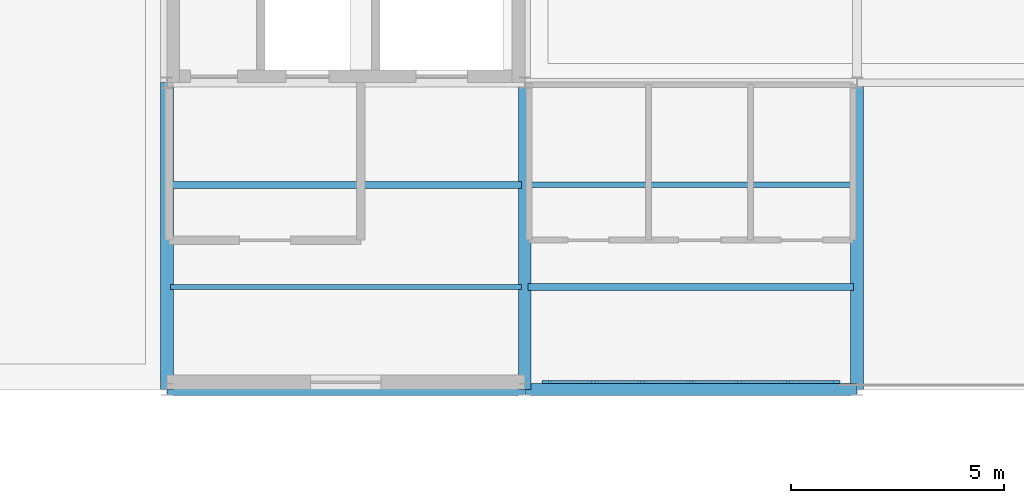
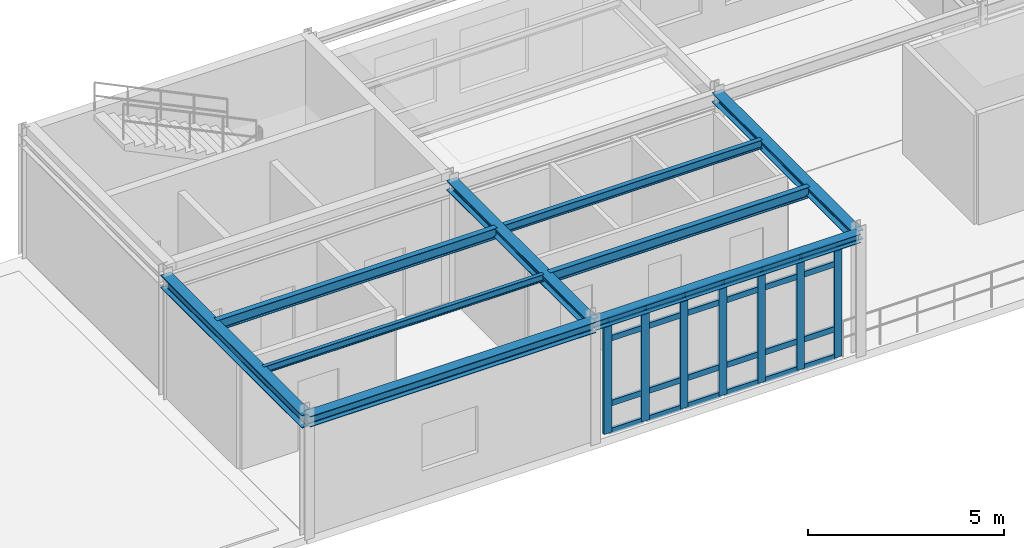
# One storey, part 5 of 20: 31 members, 9 beams, 1 element without a shape of its own.
"""IFC4 building model written with IfcOpenShell, lengths in metres."""

from ifc_helpers import new_model, si_unit, derived_unit, direction, frame, origin, origin_2d, place, context, subcontext, project, spatial, rectangle, i_section, extrude, material, layer, layer_set, material_profile, profile_set, type_object, element, aggregate, save


model = new_model("IFC4")

# Units and contexts
model_context = context("Model", 3, precision=1e-05, world=origin(), true_north=direction((0.0, 1.0)))
body_context = subcontext(model_context, "Body", "Model", "MODEL_VIEW")
ifc_project = project(units=[si_unit("LENGTHUNIT", "METRE"), si_unit("AREAUNIT", "SQUARE_METRE"), si_unit("VOLUMEUNIT", "CUBIC_METRE"), si_unit("PLANEANGLEUNIT", "RADIAN"), si_unit("MASSUNIT", "GRAM", prefix="KILO"), derived_unit("THERMALTRANSMITTANCEUNIT", [(si_unit("POWERUNIT", "WATT"), 1), (si_unit("AREAUNIT", "SQUARE_METRE"), -1), (si_unit("THERMODYNAMICTEMPERATUREUNIT", "KELVIN"), -1)])], contexts=[model_context])

# Site, building, storey
site_placement = place(None, origin())
site = spatial("IfcSite", under=ifc_project, at=site_placement, CompositionType="ELEMENT")
building_placement = place(site_placement, origin())
building = spatial("IfcBuilding", under=site, at=building_placement, Name="Yasenodar Specialist Clinic", CompositionType="ELEMENT")
storey_placement = place(building_placement, frame((0.0, 0.0, 25.35009765625)))
storey = spatial("IfcBuildingStorey", under=building, at=storey_placement, Name="L06", CompositionType="ELEMENT", Elevation=25.35009765625)

# Beams
ifc_material_1 = material(Name="Steel S355", Category="steel")
ifc_material_profile_1 = material_profile(ifc_material_1, i_section(OverallWidth=0.280029296875, OverallDepth=0.27001953125, WebThickness=0.008056640625, FlangeThickness=0.012939453125, FilletRadius=0.02392578125, at=origin_2d()), Name="HEA 280")
ifc_profile_set_1 = profile_set([ifc_material_profile_1], Name="Steel S355")
beam_type_1 = type_object("IfcBeamType", Name="BM-HEA280", PredefinedType="BEAM", material=ifc_profile_set_1)
beam_1_placement = place(storey_placement, frame((65.39990234375, 97.199951171875, 3.6748046875), z_axis=(1.0, 0.0, 0.0), x_axis=(0.0, 1.0, 0.0)))
element("IfcBeam", 1, at=beam_1_placement, inside=storey, type_object=beam_type_1, Name="L06 Primary E-W Girder", PredefinedType="BEAM", context=body_context, shape_type="SweptSolid", body=[
    extrude(i_section(OverallWidth=0.280029296875, OverallDepth=0.27001953125, WebThickness=0.008056640625, FlangeThickness=0.012939453125, FilletRadius=0.02392578125, at=origin_2d()), origin(), (0.0, 0.0, 1.0), 7.800048828125),
])
ifc_material_profile_2 = material_profile(ifc_material_1, i_section(OverallWidth=0.300048828125, OverallDepth=0.2900390625, WebThickness=0.008544921875, FlangeThickness=0.013916015625, FilletRadius=0.027099609375, at=origin_2d()), Name="HEA 300")
ifc_profile_set_2 = profile_set([ifc_material_profile_2], Name="Steel S355")
beam_type_2 = type_object("IfcBeamType", Name="BM-HEA300", PredefinedType="BEAM", material=ifc_profile_set_2)
beam_2_placement = place(storey_placement, frame((73.199951171875, 97.199951171875, 3.664794921875), z_axis=(0.0, 1.0, 0.0), x_axis=(-1.0, 0.0, 0.0)))
element("IfcBeam", 2, at=beam_2_placement, inside=storey, type_object=beam_type_2, Name="L06 Primary N-S Girder", PredefinedType="BEAM", context=body_context, shape_type="SweptSolid", body=[
    extrude(i_section(OverallWidth=0.300048828125, OverallDepth=0.2900390625, WebThickness=0.008544921875, FlangeThickness=0.013916015625, FilletRadius=0.027099609375, at=origin_2d()), origin(), (0.0, 0.0, 1.0), 7.199951171875),
])
ifc_material_profile_3 = material_profile(ifc_material_1, i_section(OverallWidth=0.300048828125, OverallDepth=0.330078125, WebThickness=0.009521484375, FlangeThickness=0.0166015625, FilletRadius=0.027099609375, at=origin_2d()), Name="HEA 340")
ifc_profile_set_3 = profile_set([ifc_material_profile_3], Name="Steel S355")
beam_type_3 = type_object("IfcBeamType", Name="BM-HEA340", PredefinedType="BEAM", material=ifc_profile_set_3)
beam_3_placement = place(storey_placement, frame((57.0, 97.199951171875, 3.64501953125), z_axis=(1.0, 0.0, 0.0), x_axis=(0.0, 1.0, 0.0)))
element("IfcBeam", 3, at=beam_3_placement, inside=storey, type_object=beam_type_3, Name="L06 Primary E-W Girder", PredefinedType="BEAM", context=body_context, shape_type="SweptSolid", body=[
    extrude(i_section(OverallWidth=0.300048828125, OverallDepth=0.330078125, WebThickness=0.009521484375, FlangeThickness=0.0166015625, FilletRadius=0.027099609375, at=origin_2d()), origin(), (0.0, 0.0, 1.0), 8.39990234375),
])
ifc_material_profile_4 = material_profile(ifc_material_1, i_section(OverallWidth=0.300048828125, OverallDepth=0.300048828125, WebThickness=0.010986328125, FlangeThickness=0.01904296875, FilletRadius=0.027099609375, at=origin_2d()), Name="HEB 300")
ifc_profile_set_4 = profile_set([ifc_material_profile_4], Name="Steel S355")
beam_type_4 = type_object("IfcBeamType", Name="BM-HEB300", PredefinedType="BEAM", material=ifc_profile_set_4)
beam_4_placement = place(storey_placement, frame((65.39990234375, 97.199951171875, 3.659912109375), z_axis=(0.0, 1.0, 0.0), x_axis=(-1.0, 0.0, 0.0)))
element("IfcBeam", 4, at=beam_4_placement, inside=storey, type_object=beam_type_4, Name="L06 Primary N-S Girder", PredefinedType="BEAM", context=body_context, shape_type="SweptSolid", body=[
    extrude(i_section(OverallWidth=0.300048828125, OverallDepth=0.300048828125, WebThickness=0.010986328125, FlangeThickness=0.01904296875, FilletRadius=0.027099609375, at=origin_2d()), origin(), (0.0, 0.0, 1.0), 7.199951171875),
])
ifc_material_profile_5 = material_profile(ifc_material_1, i_section(OverallWidth=0.300048828125, OverallDepth=0.39990234375, WebThickness=0.013427734375, FlangeThickness=0.02392578125, FilletRadius=0.027099609375, at=origin_2d()), Name="HEB 400")
ifc_profile_set_5 = profile_set([ifc_material_profile_5], Name="Steel S355")
beam_type_5 = type_object("IfcBeamType", Name="BM-HEB400", PredefinedType="BEAM", material=ifc_profile_set_5)
beam_5_placement = place(storey_placement, frame((57.0, 97.199951171875, 3.60986328125), z_axis=(0.0, 1.0, 0.0), x_axis=(-1.0, 0.0, 0.0)))
element("IfcBeam", 5, at=beam_5_placement, inside=storey, type_object=beam_type_5, Name="L06 Primary N-S Girder", PredefinedType="BEAM", context=body_context, shape_type="SweptSolid", body=[
    extrude(i_section(OverallWidth=0.300048828125, OverallDepth=0.39990234375, WebThickness=0.013427734375, FlangeThickness=0.02392578125, FilletRadius=0.027099609375, at=origin_2d()), origin(), (0.0, 0.0, 1.0), 7.199951171875),
])

# Curtain wall, members
ifc_material_2 = material(Name="Bronze Anodized Aluminium and Triple Low-E Glass", Category="aluminium")
ifc_layer = layer(ifc_material_2, 0.215087890625)
ifc_layer_set = layer_set([ifc_layer], Name="Bronze Anodized Aluminium and Triple Low-E Glass")
curtain_wall_type = type_object("IfcCurtainWallType", Name="CW-SYS-05", PredefinedType="USERDEFINED", material=ifc_layer_set)
curtain_wall_placement = place(storey_placement, origin())
curtain_wall = element("IfcCurtainWall", 6, at=curtain_wall_placement, inside=storey, type_object=curtain_wall_type, Name="L06 Unitised Curtain Wall 170", ObjectType="UNITISED CURTAIN WALL", PredefinedType="USERDEFINED")
ifc_material_3 = material(Name="Bronze Anodized Aluminium", Category="aluminium")
ifc_material_profile_6 = material_profile(ifc_material_3, rectangle(XDim=0.074951171875, YDim=0.22509765625, at=origin_2d()), Name="CW-MULL 75x225")
ifc_profile_set_6 = profile_set([ifc_material_profile_6], Name="Bronze Anodized Aluminium")
member_type_1 = type_object("IfcMemberType", Name="CW-MULL-225", PredefinedType="MULLION", material=ifc_profile_set_6)
member_1_placement = place(storey_placement, frame((72.6826171875, 97.3701171875, 0.0), z_axis=(0.0, 0.0, 1.0), x_axis=(0.0, -1.0, 0.0)))
member_1 = element("IfcMember", 7, at=member_1_placement, type_object=member_type_1, Name="CW-05 mullion 1", PredefinedType="MULLION", context=body_context, shape_type="SweptSolid", body=[
    extrude(rectangle(XDim=0.074951171875, YDim=0.22509765625, at=origin_2d()), origin(), (0.0, 0.0, 1.0), 3.517822265625),
])
member_2_placement = place(storey_placement, frame((71.580078125, 97.3701171875, 0.0), z_axis=(0.0, 0.0, 1.0), x_axis=(0.0, -1.0, 0.0)))
member_2 = element("IfcMember", 8, at=member_2_placement, type_object=member_type_1, Name="CW-05 mullion 2", PredefinedType="MULLION", context=body_context, shape_type="SweptSolid", body=[
    extrude(rectangle(XDim=0.074951171875, YDim=0.22509765625, at=origin_2d()), origin(), (0.0, 0.0, 1.0), 3.517822265625),
])
member_3_placement = place(storey_placement, frame((70.43994140625, 97.3701171875, 0.0), z_axis=(0.0, 0.0, 1.0), x_axis=(0.0, -1.0, 0.0)))
member_3 = element("IfcMember", 9, at=member_3_placement, type_object=member_type_1, Name="CW-05 mullion 3", PredefinedType="MULLION", context=body_context, shape_type="SweptSolid", body=[
    extrude(rectangle(XDim=0.074951171875, YDim=0.22509765625, at=origin_2d()), origin(), (0.0, 0.0, 1.0), 3.517822265625),
])
member_4_placement = place(storey_placement, frame((69.300048828125, 97.3701171875, 0.0), z_axis=(0.0, 0.0, 1.0), x_axis=(0.0, -1.0, 0.0)))
member_4 = element("IfcMember", 10, at=member_4_placement, type_object=member_type_1, Name="CW-05 mullion 4", PredefinedType="MULLION", context=body_context, shape_type="SweptSolid", body=[
    extrude(rectangle(XDim=0.074951171875, YDim=0.22509765625, at=origin_2d()), origin(), (0.0, 0.0, 1.0), 3.517822265625),
])
member_5_placement = place(storey_placement, frame((68.159912109375, 97.3701171875, 0.0), z_axis=(0.0, 0.0, 1.0), x_axis=(0.0, -1.0, 0.0)))
member_5 = element("IfcMember", 11, at=member_5_placement, type_object=member_type_1, Name="CW-05 mullion 5", PredefinedType="MULLION", context=body_context, shape_type="SweptSolid", body=[
    extrude(rectangle(XDim=0.074951171875, YDim=0.22509765625, at=origin_2d()), origin(), (0.0, 0.0, 1.0), 3.517822265625),
])
member_6_placement = place(storey_placement, frame((67.02001953125, 97.3701171875, 0.0), z_axis=(0.0, 0.0, 1.0), x_axis=(0.0, -1.0, 0.0)))
member_6 = element("IfcMember", 12, at=member_6_placement, type_object=member_type_1, Name="CW-05 mullion 6", PredefinedType="MULLION", context=body_context, shape_type="SweptSolid", body=[
    extrude(rectangle(XDim=0.074951171875, YDim=0.22509765625, at=origin_2d()), origin(), (0.0, 0.0, 1.0), 3.517822265625),
])
member_7_placement = place(storey_placement, frame((65.91748046875, 97.3701171875, 0.0), z_axis=(0.0, 0.0, 1.0), x_axis=(0.0, -1.0, 0.0)))
member_7 = element("IfcMember", 13, at=member_7_placement, type_object=member_type_1, Name="CW-05 mullion 7", PredefinedType="MULLION", context=body_context, shape_type="SweptSolid", body=[
    extrude(rectangle(XDim=0.074951171875, YDim=0.22509765625, at=origin_2d()), origin(), (0.0, 0.0, 1.0), 3.517822265625),
])
ifc_material_profile_7 = material_profile(ifc_material_3, rectangle(XDim=0.074951171875, YDim=0.175048828125, at=origin_2d()), Name="CW-TRAN 75x175")
ifc_profile_set_7 = profile_set([ifc_material_profile_7], Name="Bronze Anodized Aluminium")
member_type_2 = type_object("IfcMemberType", Name="CW-TRAN-175", PredefinedType="USERDEFINED", material=ifc_profile_set_7)
member_8_placement = place(storey_placement, frame((72.64501953125, 97.3701171875, 0.037353515625), z_axis=(-1.0, 0.0, 0.0), x_axis=(0.0, -1.0, 0.0)))
member_8 = element("IfcMember", 14, at=member_8_placement, type_object=member_type_2, Name="CW-05 transom 1.1", ObjectType="TRANSOM", PredefinedType="USERDEFINED", context=body_context, shape_type="SweptSolid", body=[
    extrude(rectangle(XDim=0.074951171875, YDim=0.175048828125, at=origin_2d()), origin(), (0.0, 0.0, 1.0), 1.027587890625),
])
member_9_placement = place(storey_placement, frame((72.64501953125, 97.3701171875, 0.89990234375), z_axis=(-1.0, 0.0, 0.0), x_axis=(0.0, -1.0, 0.0)))
member_9 = element("IfcMember", 15, at=member_9_placement, type_object=member_type_2, Name="CW-05 transom 1.2", ObjectType="TRANSOM", PredefinedType="USERDEFINED", context=body_context, shape_type="SweptSolid", body=[
    extrude(rectangle(XDim=0.074951171875, YDim=0.175048828125, at=origin_2d()), origin(), (0.0, 0.0, 1.0), 1.027587890625),
])
member_10_placement = place(storey_placement, frame((72.64501953125, 97.3701171875, 2.91796875), z_axis=(-1.0, 0.0, 0.0), x_axis=(0.0, -1.0, 0.0)))
member_10 = element("IfcMember", 16, at=member_10_placement, type_object=member_type_2, Name="CW-05 transom 1.3", ObjectType="TRANSOM", PredefinedType="USERDEFINED", context=body_context, shape_type="SweptSolid", body=[
    extrude(rectangle(XDim=0.074951171875, YDim=0.175048828125, at=origin_2d()), origin(), (0.0, 0.0, 1.0), 1.027587890625),
])
member_11_placement = place(storey_placement, frame((72.64501953125, 97.3701171875, 3.48046875), z_axis=(-1.0, 0.0, 0.0), x_axis=(0.0, -1.0, 0.0)))
member_11 = element("IfcMember", 17, at=member_11_placement, type_object=member_type_2, Name="CW-05 transom 1.4", ObjectType="TRANSOM", PredefinedType="USERDEFINED", context=body_context, shape_type="SweptSolid", body=[
    extrude(rectangle(XDim=0.074951171875, YDim=0.175048828125, at=origin_2d()), origin(), (0.0, 0.0, 1.0), 1.027587890625),
])
member_12_placement = place(storey_placement, frame((71.54248046875, 97.3701171875, 0.037353515625), z_axis=(-1.0, 0.0, 0.0), x_axis=(0.0, -1.0, 0.0)))
member_12 = element("IfcMember", 18, at=member_12_placement, type_object=member_type_2, Name="CW-05 transom 2.1", ObjectType="TRANSOM", PredefinedType="USERDEFINED", context=body_context, shape_type="SweptSolid", body=[
    extrude(rectangle(XDim=0.074951171875, YDim=0.175048828125, at=origin_2d()), origin(), (0.0, 0.0, 1.0), 1.06494140625),
])
member_13_placement = place(storey_placement, frame((71.54248046875, 97.3701171875, 0.89990234375), z_axis=(-1.0, 0.0, 0.0), x_axis=(0.0, -1.0, 0.0)))
member_13 = element("IfcMember", 19, at=member_13_placement, type_object=member_type_2, Name="CW-05 transom 2.2", ObjectType="TRANSOM", PredefinedType="USERDEFINED", context=body_context, shape_type="SweptSolid", body=[
    extrude(rectangle(XDim=0.074951171875, YDim=0.175048828125, at=origin_2d()), origin(), (0.0, 0.0, 1.0), 1.06494140625),
])
member_14_placement = place(storey_placement, frame((71.54248046875, 97.3701171875, 2.91796875), z_axis=(-1.0, 0.0, 0.0), x_axis=(0.0, -1.0, 0.0)))
member_14 = element("IfcMember", 20, at=member_14_placement, type_object=member_type_2, Name="CW-05 transom 2.3", ObjectType="TRANSOM", PredefinedType="USERDEFINED", context=body_context, shape_type="SweptSolid", body=[
    extrude(rectangle(XDim=0.074951171875, YDim=0.175048828125, at=origin_2d()), origin(), (0.0, 0.0, 1.0), 1.06494140625),
])
member_15_placement = place(storey_placement, frame((71.54248046875, 97.3701171875, 3.48046875), z_axis=(-1.0, 0.0, 0.0), x_axis=(0.0, -1.0, 0.0)))
member_15 = element("IfcMember", 21, at=member_15_placement, type_object=member_type_2, Name="CW-05 transom 2.4", ObjectType="TRANSOM", PredefinedType="USERDEFINED", context=body_context, shape_type="SweptSolid", body=[
    extrude(rectangle(XDim=0.074951171875, YDim=0.175048828125, at=origin_2d()), origin(), (0.0, 0.0, 1.0), 1.06494140625),
])
member_16_placement = place(storey_placement, frame((70.402587890625, 97.3701171875, 0.037353515625), z_axis=(-1.0, 0.0, 0.0), x_axis=(0.0, -1.0, 0.0)))
member_16 = element("IfcMember", 22, at=member_16_placement, type_object=member_type_2, Name="CW-05 transom 3.1", ObjectType="TRANSOM", PredefinedType="USERDEFINED", context=body_context, shape_type="SweptSolid", body=[
    extrude(rectangle(XDim=0.074951171875, YDim=0.175048828125, at=origin_2d()), origin(), (0.0, 0.0, 1.0), 1.065185546875),
])
member_17_placement = place(storey_placement, frame((70.402587890625, 97.3701171875, 0.89990234375), z_axis=(-1.0, 0.0, 0.0), x_axis=(0.0, -1.0, 0.0)))
member_17 = element("IfcMember", 23, at=member_17_placement, type_object=member_type_2, Name="CW-05 transom 3.2", ObjectType="TRANSOM", PredefinedType="USERDEFINED", context=body_context, shape_type="SweptSolid", body=[
    extrude(rectangle(XDim=0.074951171875, YDim=0.175048828125, at=origin_2d()), origin(), (0.0, 0.0, 1.0), 1.065185546875),
])
member_18_placement = place(storey_placement, frame((70.402587890625, 97.3701171875, 2.91796875), z_axis=(-1.0, 0.0, 0.0), x_axis=(0.0, -1.0, 0.0)))
member_18 = element("IfcMember", 24, at=member_18_placement, type_object=member_type_2, Name="CW-05 transom 3.3", ObjectType="TRANSOM", PredefinedType="USERDEFINED", context=body_context, shape_type="SweptSolid", body=[
    extrude(rectangle(XDim=0.074951171875, YDim=0.175048828125, at=origin_2d()), origin(), (0.0, 0.0, 1.0), 1.065185546875),
])
member_19_placement = place(storey_placement, frame((70.402587890625, 97.3701171875, 3.48046875), z_axis=(-1.0, 0.0, 0.0), x_axis=(0.0, -1.0, 0.0)))
member_19 = element("IfcMember", 25, at=member_19_placement, type_object=member_type_2, Name="CW-05 transom 3.4", ObjectType="TRANSOM", PredefinedType="USERDEFINED", context=body_context, shape_type="SweptSolid", body=[
    extrude(rectangle(XDim=0.074951171875, YDim=0.175048828125, at=origin_2d()), origin(), (0.0, 0.0, 1.0), 1.065185546875),
])
member_20_placement = place(storey_placement, frame((69.262451171875, 97.3701171875, 0.037353515625), z_axis=(-1.0, 0.0, 0.0), x_axis=(0.0, -1.0, 0.0)))
member_20 = element("IfcMember", 26, at=member_20_placement, type_object=member_type_2, Name="CW-05 transom 4.1", ObjectType="TRANSOM", PredefinedType="USERDEFINED", context=body_context, shape_type="SweptSolid", body=[
    extrude(rectangle(XDim=0.074951171875, YDim=0.175048828125, at=origin_2d()), origin(), (0.0, 0.0, 1.0), 1.06494140625),
])
member_21_placement = place(storey_placement, frame((69.262451171875, 97.3701171875, 0.89990234375), z_axis=(-1.0, 0.0, 0.0), x_axis=(0.0, -1.0, 0.0)))
member_21 = element("IfcMember", 27, at=member_21_placement, type_object=member_type_2, Name="CW-05 transom 4.2", ObjectType="TRANSOM", PredefinedType="USERDEFINED", context=body_context, shape_type="SweptSolid", body=[
    extrude(rectangle(XDim=0.074951171875, YDim=0.175048828125, at=origin_2d()), origin(), (0.0, 0.0, 1.0), 1.06494140625),
])
member_22_placement = place(storey_placement, frame((69.262451171875, 97.3701171875, 2.91796875), z_axis=(-1.0, 0.0, 0.0), x_axis=(0.0, -1.0, 0.0)))
member_22 = element("IfcMember", 28, at=member_22_placement, type_object=member_type_2, Name="CW-05 transom 4.3", ObjectType="TRANSOM", PredefinedType="USERDEFINED", context=body_context, shape_type="SweptSolid", body=[
    extrude(rectangle(XDim=0.074951171875, YDim=0.175048828125, at=origin_2d()), origin(), (0.0, 0.0, 1.0), 1.06494140625),
])
member_23_placement = place(storey_placement, frame((69.262451171875, 97.3701171875, 3.48046875), z_axis=(-1.0, 0.0, 0.0), x_axis=(0.0, -1.0, 0.0)))
member_23 = element("IfcMember", 29, at=member_23_placement, type_object=member_type_2, Name="CW-05 transom 4.4", ObjectType="TRANSOM", PredefinedType="USERDEFINED", context=body_context, shape_type="SweptSolid", body=[
    extrude(rectangle(XDim=0.074951171875, YDim=0.175048828125, at=origin_2d()), origin(), (0.0, 0.0, 1.0), 1.06494140625),
])
member_24_placement = place(storey_placement, frame((68.12255859375, 97.3701171875, 0.037353515625), z_axis=(-1.0, 0.0, 0.0), x_axis=(0.0, -1.0, 0.0)))
member_24 = element("IfcMember", 30, at=member_24_placement, type_object=member_type_2, Name="CW-05 transom 5.1", ObjectType="TRANSOM", PredefinedType="USERDEFINED", context=body_context, shape_type="SweptSolid", body=[
    extrude(rectangle(XDim=0.074951171875, YDim=0.175048828125, at=origin_2d()), origin(), (0.0, 0.0, 1.0), 1.06494140625),
])
member_25_placement = place(storey_placement, frame((68.12255859375, 97.3701171875, 0.89990234375), z_axis=(-1.0, 0.0, 0.0), x_axis=(0.0, -1.0, 0.0)))
member_25 = element("IfcMember", 31, at=member_25_placement, type_object=member_type_2, Name="CW-05 transom 5.2", ObjectType="TRANSOM", PredefinedType="USERDEFINED", context=body_context, shape_type="SweptSolid", body=[
    extrude(rectangle(XDim=0.074951171875, YDim=0.175048828125, at=origin_2d()), origin(), (0.0, 0.0, 1.0), 1.06494140625),
])
member_26_placement = place(storey_placement, frame((68.12255859375, 97.3701171875, 2.91796875), z_axis=(-1.0, 0.0, 0.0), x_axis=(0.0, -1.0, 0.0)))
member_26 = element("IfcMember", 32, at=member_26_placement, type_object=member_type_2, Name="CW-05 transom 5.3", ObjectType="TRANSOM", PredefinedType="USERDEFINED", context=body_context, shape_type="SweptSolid", body=[
    extrude(rectangle(XDim=0.074951171875, YDim=0.175048828125, at=origin_2d()), origin(), (0.0, 0.0, 1.0), 1.06494140625),
])
member_27_placement = place(storey_placement, frame((68.12255859375, 97.3701171875, 3.48046875), z_axis=(-1.0, 0.0, 0.0), x_axis=(0.0, -1.0, 0.0)))
member_27 = element("IfcMember", 33, at=member_27_placement, type_object=member_type_2, Name="CW-05 transom 5.4", ObjectType="TRANSOM", PredefinedType="USERDEFINED", context=body_context, shape_type="SweptSolid", body=[
    extrude(rectangle(XDim=0.074951171875, YDim=0.175048828125, at=origin_2d()), origin(), (0.0, 0.0, 1.0), 1.06494140625),
])
member_28_placement = place(storey_placement, frame((66.982421875, 97.3701171875, 0.037353515625), z_axis=(-1.0, 0.0, 0.0), x_axis=(0.0, -1.0, 0.0)))
member_28 = element("IfcMember", 34, at=member_28_placement, type_object=member_type_2, Name="CW-05 transom 6.1", ObjectType="TRANSOM", PredefinedType="USERDEFINED", context=body_context, shape_type="SweptSolid", body=[
    extrude(rectangle(XDim=0.074951171875, YDim=0.175048828125, at=origin_2d()), origin(), (0.0, 0.0, 1.0), 1.02734375),
])
member_29_placement = place(storey_placement, frame((66.982421875, 97.3701171875, 0.89990234375), z_axis=(-1.0, 0.0, 0.0), x_axis=(0.0, -1.0, 0.0)))
member_29 = element("IfcMember", 35, at=member_29_placement, type_object=member_type_2, Name="CW-05 transom 6.2", ObjectType="TRANSOM", PredefinedType="USERDEFINED", context=body_context, shape_type="SweptSolid", body=[
    extrude(rectangle(XDim=0.074951171875, YDim=0.175048828125, at=origin_2d()), origin(), (0.0, 0.0, 1.0), 1.02734375),
])
member_30_placement = place(storey_placement, frame((66.982421875, 97.3701171875, 2.91796875), z_axis=(-1.0, 0.0, 0.0), x_axis=(0.0, -1.0, 0.0)))
member_30 = element("IfcMember", 36, at=member_30_placement, type_object=member_type_2, Name="CW-05 transom 6.3", ObjectType="TRANSOM", PredefinedType="USERDEFINED", context=body_context, shape_type="SweptSolid", body=[
    extrude(rectangle(XDim=0.074951171875, YDim=0.175048828125, at=origin_2d()), origin(), (0.0, 0.0, 1.0), 1.02734375),
])
member_31_placement = place(storey_placement, frame((66.982421875, 97.3701171875, 3.48046875), z_axis=(-1.0, 0.0, 0.0), x_axis=(0.0, -1.0, 0.0)))
member_31 = element("IfcMember", 37, at=member_31_placement, type_object=member_type_2, Name="CW-05 transom 6.4", ObjectType="TRANSOM", PredefinedType="USERDEFINED", context=body_context, shape_type="SweptSolid", body=[
    extrude(rectangle(XDim=0.074951171875, YDim=0.175048828125, at=origin_2d()), origin(), (0.0, 0.0, 1.0), 1.02734375),
])
aggregate(curtain_wall, [member_1, member_2, member_3, member_4, member_5, member_6, member_7, member_8, member_9, member_10, member_11, member_12, member_13, member_14, member_15, member_16, member_17, member_18, member_19, member_20, member_21, member_22, member_23, member_24, member_25, member_26, member_27, member_28, member_29, member_30, member_31])

# Beams
ifc_material_profile_8 = material_profile(ifc_material_1, i_section(OverallWidth=0.110107421875, OverallDepth=0.219970703125, WebThickness=0.005859375, FlangeThickness=0.00927734375, FilletRadius=0.011962890625, at=origin_2d()), Name="IPE 220")
ifc_profile_set_8 = profile_set([ifc_material_profile_8], Name="Steel S355")
beam_type_6 = type_object("IfcBeamType", Name="JS-IPE220", PredefinedType="JOIST", material=ifc_profile_set_8)
beam_6_placement = place(storey_placement, frame((57.080078125, 99.60009765625, 3.699951171875), z_axis=(1.0, 0.0, 0.0), x_axis=(0.0, 1.0, 0.0)))
element("IfcBeam", 38, at=beam_6_placement, inside=storey, type_object=beam_type_6, Name="L06 Composite Floor Joist", PredefinedType="JOIST", context=body_context, shape_type="SweptSolid", body=[
    extrude(i_section(OverallWidth=0.110107421875, OverallDepth=0.219970703125, WebThickness=0.005859375, FlangeThickness=0.00927734375, FilletRadius=0.011962890625, at=origin_2d()), origin(), (0.0, 0.0, 1.0), 8.239990234375),
])
ifc_material_profile_9 = material_profile(ifc_material_1, i_section(OverallWidth=0.135009765625, OverallDepth=0.27001953125, WebThickness=0.006591796875, FlangeThickness=0.01025390625, FilletRadius=0.014892578125, at=origin_2d()), Name="IPE 270")
ifc_profile_set_9 = profile_set([ifc_material_profile_9], Name="Steel S355")
beam_type_7 = type_object("IfcBeamType", Name="JS-IPE270", PredefinedType="JOIST", material=ifc_profile_set_9)
beam_7_placement = place(storey_placement, frame((65.47998046875, 102.0, 3.6748046875), z_axis=(1.0, 0.0, 0.0), x_axis=(0.0, 1.0, 0.0)))
element("IfcBeam", 39, at=beam_7_placement, inside=storey, type_object=beam_type_7, Name="L06 Composite Floor Joist", PredefinedType="JOIST", context=body_context, shape_type="SweptSolid", body=[
    extrude(i_section(OverallWidth=0.135009765625, OverallDepth=0.27001953125, WebThickness=0.006591796875, FlangeThickness=0.01025390625, FilletRadius=0.014892578125, at=origin_2d()), origin(), (0.0, 0.0, 1.0), 7.64013671875),
])
ifc_material_profile_10 = material_profile(ifc_material_1, i_section(OverallWidth=0.159912109375, OverallDepth=0.330078125, WebThickness=0.007568359375, FlangeThickness=0.011474609375, FilletRadius=0.01806640625, at=origin_2d()), Name="IPE 330")
ifc_profile_set_10 = profile_set([ifc_material_profile_10], Name="Steel S355")
beam_type_8 = type_object("IfcBeamType", Name="JS-IPE330", PredefinedType="JOIST", material=ifc_profile_set_10)
beam_8_placement = place(storey_placement, frame((57.080078125, 102.0, 3.64501953125), z_axis=(1.0, 0.0, 0.0), x_axis=(0.0, 1.0, 0.0)))
element("IfcBeam", 40, at=beam_8_placement, inside=storey, type_object=beam_type_8, Name="L06 Composite Floor Joist", PredefinedType="JOIST", context=body_context, shape_type="SweptSolid", body=[
    extrude(i_section(OverallWidth=0.159912109375, OverallDepth=0.330078125, WebThickness=0.007568359375, FlangeThickness=0.011474609375, FilletRadius=0.01806640625, at=origin_2d()), origin(), (0.0, 0.0, 1.0), 8.239990234375),
])
beam_9_placement = place(storey_placement, frame((65.47998046875, 99.60009765625, 3.64501953125), z_axis=(1.0, 0.0, 0.0), x_axis=(0.0, 1.0, 0.0)))
element("IfcBeam", 41, at=beam_9_placement, inside=storey, type_object=beam_type_8, Name="L06 Composite Floor Joist", PredefinedType="JOIST", context=body_context, shape_type="SweptSolid", body=[
    extrude(i_section(OverallWidth=0.159912109375, OverallDepth=0.330078125, WebThickness=0.007568359375, FlangeThickness=0.011474609375, FilletRadius=0.01806640625, at=origin_2d()), origin(), (0.0, 0.0, 1.0), 7.64013671875),
])

save(model, "model.ifc")
